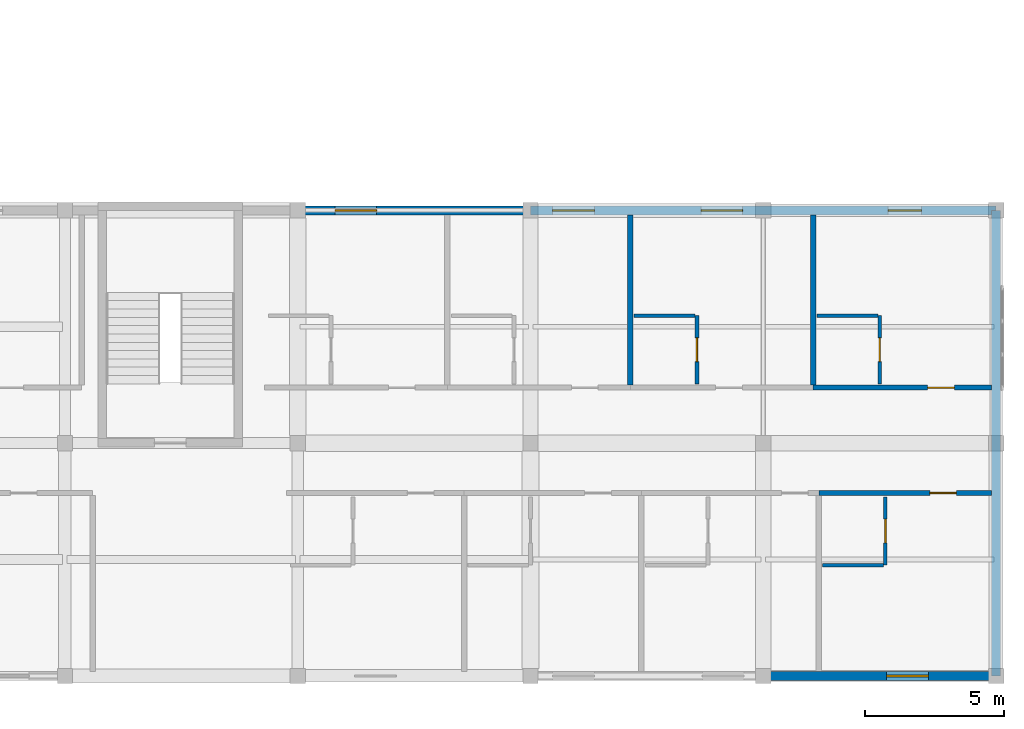
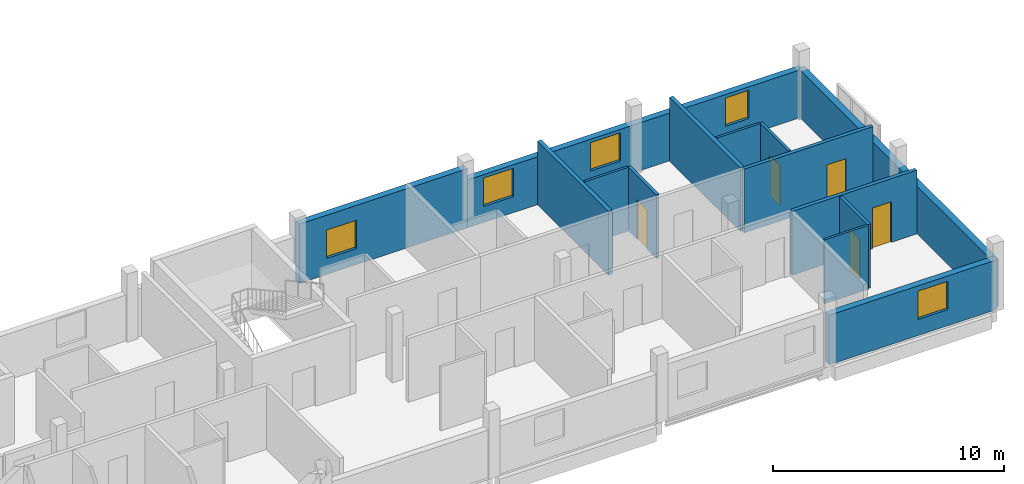
# One storey, part 17 of 20: 14 walls, 5 doors, 5 windows, 10 openings.
"""IFC4 building model written with IfcOpenShell, lengths in metres."""

from ifc_helpers import new_model, si_unit, derived_unit, direction, frame, frame_2d, origin, place, context, subcontext, project, spatial, rectangle, extrude, material, layer, layer_set, type_object, element, fill, save


model = new_model("IFC4")

# Units and contexts
model_context = context("Model", 3, precision=1e-05, world=origin(), true_north=direction((0.0, 1.0)))
body_context = subcontext(model_context, "Body", "Model", "MODEL_VIEW")
ifc_project = project(units=[si_unit("LENGTHUNIT", "METRE"), si_unit("AREAUNIT", "SQUARE_METRE"), si_unit("VOLUMEUNIT", "CUBIC_METRE"), si_unit("PLANEANGLEUNIT", "RADIAN"), si_unit("MASSUNIT", "GRAM", prefix="KILO"), derived_unit("THERMALTRANSMITTANCEUNIT", [(si_unit("POWERUNIT", "WATT"), 1), (si_unit("LENGTHUNIT", "METRE"), -2), (si_unit("THERMODYNAMICTEMPERATUREUNIT", "KELVIN"), -1)])], contexts=[model_context])

# Site, building, storey
site_placement = place(None, origin())
site = spatial("IfcSite", under=ifc_project, at=site_placement, CompositionType="ELEMENT")
building_placement = place(site_placement, origin())
building = spatial("IfcBuilding", under=site, at=building_placement, Name="Barrovel Congress Hotel", CompositionType="ELEMENT")
storey_placement = place(building_placement, frame((0.0, 0.0, 36.300048828125)))
storey = spatial("IfcBuildingStorey", under=building, at=storey_placement, Name="L09", CompositionType="ELEMENT", Elevation=36.300048828125)

# Wall
ifc_material_1 = material(Name="Fired Clay Brick Masonry", Category="masonry")
ifc_layer_1 = layer(ifc_material_1, 0.320068359375)
ifc_layer_set_1 = layer_set([ifc_layer_1], Name="Fired Clay Brick Masonry")
wall_type_1 = type_object("IfcWallType", Name="EW-BRK320", PredefinedType="STANDARD", material=ifc_layer_set_1)
wall_1_placement = place(storey_placement, frame((134.39990234375, 4.199951171875, 0.0), z_axis=(0.0, 0.0, 1.0), x_axis=(0.0, 1.0, 0.0)))
element("IfcWall", 1, at=wall_1_placement, inside=storey, type_object=wall_type_1, Name="EW:L09:HS-E", PredefinedType="STANDARD", context=body_context, shape_type="SweptSolid", body=[
    extrude(rectangle(XDim=16.800048828125, YDim=0.320068359375, at=frame_2d((8.39990234375, 0.0))), origin(), (0.0, 0.0, 1.0), 2.530029296875),
])

# Wall, openings, windows
wall_2_placement = place(storey_placement, frame((134.39990234375, 21.0, 0.0), z_axis=(0.0, 0.0, 1.0), x_axis=(-1.0, 0.0, 0.0)))
wall_2 = element("IfcWall", 2, at=wall_2_placement, inside=storey, type_object=wall_type_1, Name="EW:L09:HS-NE-1", PredefinedType="STANDARD", context=body_context, shape_type="SweptSolid", body=[
    extrude(rectangle(XDim=16.7998046875, YDim=0.320068359375, at=frame_2d((8.39990234375, 0.0))), origin(), (0.0, 0.0, 1.0), 2.530029296875),
])
opening_1_placement = place(wall_2_placement, frame((14.5, 0.0, 0.85009765625)))
opening_1 = element("IfcOpeningElement", 3, at=opening_1_placement, cuts=wall_2, Name="Opening WN-07", PredefinedType="OPENING", context=body_context, shape_type="SweptSolid", body=[
    extrude(rectangle(XDim=1.5, YDim=1.5, at=frame_2d((0.75, 0.75))), frame((0.0, 0.169921875, 0.0), z_axis=(0.0, -1.0, 0.0), x_axis=(1.0, 0.0, 0.0)), (0.0, 0.0, 1.0), 0.340087890625),
])
opening_2_placement = place(wall_2_placement, frame((9.14990234375, 0.0, 0.85009765625)))
opening_2 = element("IfcOpeningElement", 4, at=opening_2_placement, cuts=wall_2, Name="Opening WN-07", PredefinedType="OPENING", context=body_context, shape_type="SweptSolid", body=[
    extrude(rectangle(XDim=1.5, YDim=1.5, at=frame_2d((0.75, 0.75))), frame((0.0, 0.169921875, 0.0), z_axis=(0.0, -1.0, 0.0), x_axis=(1.0, 0.0, 0.0)), (0.0, 0.0, 1.0), 0.340087890625),
])
opening_3_placement = place(wall_2_placement, frame((2.699951171875, 0.0, 0.85009765625)))
opening_3 = element("IfcOpeningElement", 5, at=opening_3_placement, cuts=wall_2, Name="Opening WN-06", PredefinedType="OPENING", context=body_context, shape_type="SweptSolid", body=[
    extrude(rectangle(XDim=1.199951171875, YDim=1.5, at=frame_2d((0.60009765625, 0.75))), frame((0.0, 0.169921875, 0.0), z_axis=(0.0, -1.0, 0.0), x_axis=(1.0, 0.0, 0.0)), (0.0, 0.0, 1.0), 0.340087890625),
])
ifc_material_2 = material(Name="Double Low-E Insulated Glazing", Category="glass")
window_type_1 = type_object("IfcWindowType", Name="WIN-WN-06", PartitioningType="SINGLE_PANEL", PredefinedType="WINDOW", material=ifc_material_2)
window_1_placement = place(opening_3_placement, origin())
window_1 = element("IfcWindow", 6, at=window_1_placement, inside=storey, type_object=window_type_1, Name="WIN:L09:U24", OverallHeight=1.5, OverallWidth=1.199951171875, PartitioningType="SINGLE_PANEL", PredefinedType="WINDOW", context=body_context, shape_type="SweptSolid", body=[
    extrude(rectangle(XDim=1.199951171875, YDim=1.5, at=frame_2d((0.60009765625, 0.75))), frame((0.0, 0.030029296875, 0.0), z_axis=(0.0, -1.0, 0.0), x_axis=(1.0, 0.0, 0.0)), (0.0, 0.0, 1.0), 0.06005859375),
])
fill(opening_3, window_1)
window_type_2 = type_object("IfcWindowType", Name="WIN-WN-07", PartitioningType="SINGLE_PANEL", PredefinedType="WINDOW", material=ifc_material_2)
window_2_placement = place(opening_1_placement, origin())
window_2 = element("IfcWindow", 7, at=window_2_placement, inside=storey, type_object=window_type_2, Name="WIN:L09:U22", OverallHeight=1.5, OverallWidth=1.5, PartitioningType="SINGLE_PANEL", PredefinedType="WINDOW", context=body_context, shape_type="SweptSolid", body=[
    extrude(rectangle(XDim=1.5, YDim=1.5, at=frame_2d((0.75, 0.75))), frame((0.0, 0.030029296875, 0.0), z_axis=(0.0, -1.0, 0.0), x_axis=(1.0, 0.0, 0.0)), (0.0, 0.0, 1.0), 0.06005859375),
])
fill(opening_1, window_2)
window_3_placement = place(opening_2_placement, origin())
window_3 = element("IfcWindow", 8, at=window_3_placement, inside=storey, type_object=window_type_2, Name="WIN:L09:U23", OverallHeight=1.5, OverallWidth=1.5, PartitioningType="SINGLE_PANEL", PredefinedType="WINDOW", context=body_context, shape_type="SweptSolid", body=[
    extrude(rectangle(XDim=1.5, YDim=1.5, at=frame_2d((0.75, 0.75))), frame((0.0, 0.030029296875, 0.0), z_axis=(0.0, -1.0, 0.0), x_axis=(1.0, 0.0, 0.0)), (0.0, 0.0, 1.0), 0.06005859375),
])
fill(opening_2, window_3)

# Wall, opening, window
wall_3_placement = place(storey_placement, frame((126.0, 4.199951171875, 0.0), z_axis=(0.0, 0.0, 1.0), x_axis=(1.0, 0.0, 0.0)))
wall_3 = element("IfcWall", 9, at=wall_3_placement, inside=storey, type_object=wall_type_1, Name="EW:L09:HS-S:P11", PredefinedType="STANDARD", context=body_context, shape_type="SweptSolid", body=[
    extrude(rectangle(XDim=8.39990234375, YDim=0.320068359375, at=frame_2d((4.199951171875, 0.0))), origin(), (0.0, 0.0, 1.0), 2.6298828125),
])
opening_4_placement = place(wall_3_placement, frame((4.449951171875, 0.0, 0.85009765625)))
opening_4 = element("IfcOpeningElement", 10, at=opening_4_placement, cuts=wall_3, Name="Opening WN-07", PredefinedType="OPENING", context=body_context, shape_type="SweptSolid", body=[
    extrude(rectangle(XDim=1.5, YDim=1.5, at=frame_2d((0.75, 0.75))), frame((0.0, 0.169921875, 0.0), z_axis=(0.0, -1.0, 0.0), x_axis=(1.0, 0.0, 0.0)), (0.0, 0.0, 1.0), 0.340087890625),
])
window_4_placement = place(opening_4_placement, origin())
window_4 = element("IfcWindow", 11, at=window_4_placement, inside=storey, type_object=window_type_2, Name="WIN:L09:U18", OverallHeight=1.5, OverallWidth=1.5, PartitioningType="SINGLE_PANEL", PredefinedType="WINDOW", context=body_context, shape_type="SweptSolid", body=[
    extrude(rectangle(XDim=1.5, YDim=1.5, at=frame_2d((0.75, 0.75))), frame((0.0, 0.030029296875, 0.0), z_axis=(0.0, -1.0, 0.0), x_axis=(1.0, 0.0, 0.0)), (0.0, 0.0, 1.0), 0.06005859375),
])
fill(opening_4, window_4)

wall_4_placement = place(storey_placement, frame((117.60009765625, 21.0, 0.0), z_axis=(0.0, 0.0, 1.0), x_axis=(-1.0, 0.0, 0.0)))
wall_4 = element("IfcWall", 12, at=wall_4_placement, inside=storey, type_object=wall_type_1, Name="EW:L09:HS-NE-1:P02", PredefinedType="STANDARD", context=body_context, shape_type="SweptSolid", body=[
    extrude(rectangle(XDim=8.400146484375, YDim=0.320068359375, at=frame_2d((4.2001953125, 0.0))), origin(), (0.0, 0.0, 1.0), 3.133056640625),
])
opening_5_placement = place(wall_4_placement, frame((5.550048828125, 0.0, 0.85009765625)))
opening_5 = element("IfcOpeningElement", 13, at=opening_5_placement, cuts=wall_4, Name="Opening WN-07", PredefinedType="OPENING", context=body_context, shape_type="SweptSolid", body=[
    extrude(rectangle(XDim=1.5, YDim=1.5, at=frame_2d((0.75, 0.75))), frame((0.0, 0.169921875, 0.0), z_axis=(0.0, -1.0, 0.0), x_axis=(1.0, 0.0, 0.0)), (0.0, 0.0, 1.0), 0.340087890625),
])
window_5_placement = place(opening_5_placement, origin())
window_5 = element("IfcWindow", 14, at=window_5_placement, inside=storey, type_object=window_type_2, Name="WIN:L09:U21", OverallHeight=1.5, OverallWidth=1.5, PartitioningType="SINGLE_PANEL", PredefinedType="WINDOW", context=body_context, shape_type="SweptSolid", body=[
    extrude(rectangle(XDim=1.5, YDim=1.5, at=frame_2d((0.75, 0.75))), frame((0.0, 0.030029296875, 0.0), z_axis=(0.0, -1.0, 0.0), x_axis=(1.0, 0.0, 0.0)), (0.0, 0.0, 1.0), 0.06005859375),
])
fill(opening_5, window_5)

# Wall, opening, door
ifc_material_3 = material(Name="Gypsum Acoustic Stud", Category="gypsum")
ifc_layer_2 = layer(ifc_material_3, 0.179931640625)
ifc_layer_set_2 = layer_set([ifc_layer_2], Name="Gypsum Acoustic Stud")
wall_type_2 = type_object("IfcWallType", Name="PW-ACU-180", PredefinedType="PARTITIONING", material=ifc_layer_set_2)
wall_5_placement = place(storey_placement, frame((128.0, 10.800048828125, 0.0), z_axis=(0.0, 0.0, 1.0), x_axis=(1.0, 0.0, 0.0)))
wall_5 = element("IfcWall", 15, at=wall_5_placement, inside=storey, type_object=wall_type_2, Name="PW:L09:U18:COR", PredefinedType="PARTITIONING", context=body_context, shape_type="SweptSolid", body=[
    extrude(rectangle(XDim=6.239990234375, YDim=0.179931640625, at=frame_2d((3.1201171875, 0.0))), origin(), (0.0, 0.0, 1.0), 3.375),
])
opening_6_placement = place(wall_5_placement, frame((4.0048828125, 0.0, 0.0)))
opening_6 = element("IfcOpeningElement", 16, at=opening_6_placement, cuts=wall_5, Name="Opening ID-HTL", PredefinedType="OPENING", context=body_context, shape_type="SweptSolid", body=[
    extrude(rectangle(XDim=0.9599609375, YDim=2.14990234375, at=frame_2d((0.47998046875, 1.074951171875))), frame((0.0, 0.10009765625, 0.0), z_axis=(0.0, -1.0, 0.0), x_axis=(1.0, 0.0, 0.0)), (0.0, 0.0, 1.0), 0.199951171875),
])
ifc_material_4 = material(Name="Solid Oak Acoustic Timber Door", Category="wood")
door_type_1 = type_object("IfcDoorType", Name="IDR-ID-HTL", OperationType="NOTDEFINED", PredefinedType="DOOR", material=ifc_material_4)
door_1_placement = place(opening_6_placement, origin())
door_1 = element("IfcDoor", 17, at=door_1_placement, inside=storey, type_object=door_type_1, Name="DR:L09:U18:ENT", OperationType="SINGLE_SWING_RIGHT", OverallHeight=2.14990234375, OverallWidth=0.9599609375, PredefinedType="DOOR", context=body_context, shape_type="SweptSolid", body=[
    extrude(rectangle(XDim=0.9599609375, YDim=2.14990234375, at=frame_2d((0.47998046875, 1.074951171875))), frame((0.0, 0.02490234375, 0.0), z_axis=(0.0, -1.0, 0.0), x_axis=(1.0, 0.0, 0.0)), (0.0, 0.0, 1.0), 0.050048828125),
])
fill(opening_6, door_1)

wall_6_placement = place(storey_placement, frame((127.800048828125, 14.60009765625, 0.0), z_axis=(0.0, 0.0, 1.0), x_axis=(1.0, 0.0, 0.0)))
wall_6 = element("IfcWall", 18, at=wall_6_placement, inside=storey, type_object=wall_type_2, Name="PW:L09:U24:COR", PredefinedType="PARTITIONING", context=body_context, shape_type="SweptSolid", body=[
    extrude(rectangle(XDim=6.43994140625, YDim=0.179931640625, at=frame_2d((3.219970703125, 0.0))), origin(), (0.0, 0.0, 1.0), 3.375),
])
opening_7_placement = place(wall_6_placement, frame((4.12890625, 0.0, 0.0)))
opening_7 = element("IfcOpeningElement", 19, at=opening_7_placement, cuts=wall_6, Name="Opening ID-HTL", PredefinedType="OPENING", context=body_context, shape_type="SweptSolid", body=[
    extrude(rectangle(XDim=0.9599609375, YDim=2.14990234375, at=frame_2d((0.47998046875, 1.074951171875))), frame((0.0, 0.10009765625, 0.0), z_axis=(0.0, -1.0, 0.0), x_axis=(1.0, 0.0, 0.0)), (0.0, 0.0, 1.0), 0.199951171875),
])
door_2_placement = place(opening_7_placement, origin())
door_2 = element("IfcDoor", 20, at=door_2_placement, inside=storey, type_object=door_type_1, Name="DR:L09:U24:ENT", OperationType="SINGLE_SWING_RIGHT", OverallHeight=2.14990234375, OverallWidth=0.9599609375, PredefinedType="DOOR", context=body_context, shape_type="SweptSolid", body=[
    extrude(rectangle(XDim=0.9599609375, YDim=2.14990234375, at=frame_2d((0.47998046875, 1.074951171875))), frame((0.0, 0.02490234375, 0.0), z_axis=(0.0, -1.0, 0.0), x_axis=(1.0, 0.0, 0.0)), (0.0, 0.0, 1.0), 0.050048828125),
])
fill(opening_7, door_2)

# Walls
ifc_layer_3 = layer(ifc_material_3, 0.1201171875)
ifc_layer_set_3 = layer_set([ifc_layer_3], Name="Gypsum Acoustic Stud")
wall_type_3 = type_object("IfcWallType", Name="PW-INT-120", PredefinedType="PARTITIONING", material=ifc_layer_set_3)
wall_7_placement = place(storey_placement, frame((128.139892578125, 8.199951171875, 0.0), z_axis=(0.0, 0.0, 1.0), x_axis=(1.0, 0.0, 0.0)))
element("IfcWall", 21, at=wall_7_placement, inside=storey, type_object=wall_type_3, Name="PW:L09:U18:B2", PredefinedType="PARTITIONING", context=body_context, shape_type="SweptSolid", body=[
    extrude(rectangle(XDim=2.190185546875, YDim=0.1201171875, at=frame_2d((1.09521484375, 0.0))), origin(), (0.0, 0.0, 1.0), 3.375),
])
for number, where, z_axis, x_axis, name in (
    (22, (121.340087890625, 17.199951171875, 0.0), (0.0, 0.0, 1.0), (1.0, 0.0, 0.0), "PW:L09:U23:B2"),
    (23, (127.93994140625, 17.199951171875, 0.0), (0.0, 0.0, 1.0), (1.0, 0.0, 0.0), "PW:L09:U24:B2"),
):
    element("IfcWall", number, at=place(storey_placement, frame(where, z_axis=z_axis, x_axis=x_axis)), inside=storey, type_object=wall_type_3, Name=name, PredefinedType="PARTITIONING", context=body_context, shape_type="SweptSolid", body=[
        extrude(rectangle(XDim=2.18994140625, YDim=0.1201171875, at=frame_2d((1.094970703125, 0.0))), origin(), (0.0, 0.0, 1.0), 3.375),
    ])
ifc_layer_4 = layer(ifc_material_1, 0.199951171875)
ifc_layer_set_4 = layer_set([ifc_layer_4], Name="Fired Clay Brick Masonry")
wall_type_4 = type_object("IfcWallType", Name="PW-MAS-200", PredefinedType="PARTITIONING", material=ifc_layer_set_4)
for number, where, z_axis, x_axis, name in (
    (24, (121.199951171875, 14.68994140625, 0.0), (0.0, 0.0, 1.0), (0.0, 1.0, 0.0), "PW:L09:U22:DEM"),
    (25, (127.800048828125, 14.68994140625, 0.0), (0.0, 0.0, 1.0), (0.0, 1.0, 0.0), "PW:L09:U23:DEM"),
):
    element("IfcWall", number, at=place(storey_placement, frame(where, z_axis=z_axis, x_axis=x_axis)), inside=storey, type_object=wall_type_4, Name=name, PredefinedType="PARTITIONING", context=body_context, shape_type="SweptSolid", body=[
        extrude(rectangle(XDim=6.150146484375, YDim=0.199951171875, at=frame_2d((3.0751953125, 0.0))), origin(), (0.0, 0.0, 1.0), 3.375),
    ])

# Wall, opening, door
ifc_material_5 = material(Name="Gypsum Moisture Board", Category="gypsum")
ifc_layer_5 = layer(ifc_material_5, 0.139892578125)
ifc_layer_set_5 = layer_set([ifc_layer_5], Name="Gypsum Moisture Board")
wall_type_5 = type_object("IfcWallType", Name="PW-WET-140", PredefinedType="PARTITIONING", material=ifc_layer_set_5)
wall_8_placement = place(storey_placement, frame((130.39990234375, 8.199951171875, 0.0), z_axis=(0.0, 0.0, 1.0), x_axis=(0.0, 1.0, 0.0)))
wall_8 = element("IfcWall", 26, at=wall_8_placement, inside=storey, type_object=wall_type_5, Name="PW:L09:U18:B1", PredefinedType="PARTITIONING", context=body_context, shape_type="SweptSolid", body=[
    extrude(rectangle(XDim=2.4599609375, YDim=0.139892578125, at=frame_2d((1.22998046875, 0.0))), origin(), (0.0, 0.0, 1.0), 3.375),
])
opening_8_placement = place(wall_8_placement, frame((0.800048828125, 0.0, 0.0)))
opening_8 = element("IfcOpeningElement", 27, at=opening_8_placement, cuts=wall_8, Name="Opening ID-ENS", PredefinedType="OPENING", context=body_context, shape_type="SweptSolid", body=[
    extrude(rectangle(XDim=0.860107421875, YDim=2.10009765625, at=frame_2d((0.43017578125, 1.050048828125))), frame((0.0, 0.080078125, 0.0), z_axis=(0.0, -1.0, 0.0), x_axis=(1.0, 0.0, 0.0)), (0.0, 0.0, 1.0), 0.159912109375),
])
ifc_material_6 = material(Name="Lacquered Timber Moisture Door", Category="wood")
door_type_2 = type_object("IfcDoorType", Name="IDR-ID-ENS", OperationType="NOTDEFINED", PredefinedType="DOOR", material=ifc_material_6)
door_3_placement = place(opening_8_placement, origin())
door_3 = element("IfcDoor", 28, at=door_3_placement, inside=storey, type_object=door_type_2, Name="DR:L09:U18:ENS", OperationType="SINGLE_SWING_LEFT", OverallHeight=2.10009765625, OverallWidth=0.860107421875, PredefinedType="DOOR", context=body_context, shape_type="SweptSolid", body=[
    extrude(rectangle(XDim=0.860107421875, YDim=2.10009765625, at=frame_2d((0.43017578125, 1.050048828125))), frame((0.0, 0.02490234375, 0.0), z_axis=(0.0, -1.0, 0.0), x_axis=(1.0, 0.0, 0.0)), (0.0, 0.0, 1.0), 0.050048828125),
])
fill(opening_8, door_3)

wall_9_placement = place(storey_placement, frame((123.60009765625, 14.739990234375, 0.0), z_axis=(0.0, 0.0, 1.0), x_axis=(0.0, 1.0, 0.0)))
wall_9 = element("IfcWall", 29, at=wall_9_placement, inside=storey, type_object=wall_type_5, Name="PW:L09:U23:B1", PredefinedType="PARTITIONING", context=body_context, shape_type="SweptSolid", body=[
    extrude(rectangle(XDim=2.4599609375, YDim=0.139892578125, at=frame_2d((1.22998046875, 0.0))), origin(), (0.0, 0.0, 1.0), 3.375),
])
opening_9_placement = place(wall_9_placement, frame((0.800048828125, 0.0, 0.0)))
opening_9 = element("IfcOpeningElement", 30, at=opening_9_placement, cuts=wall_9, Name="Opening ID-ENS", PredefinedType="OPENING", context=body_context, shape_type="SweptSolid", body=[
    extrude(rectangle(XDim=0.860107421875, YDim=2.10009765625, at=frame_2d((0.43017578125, 1.050048828125))), frame((0.0, 0.080078125, 0.0), z_axis=(0.0, -1.0, 0.0), x_axis=(1.0, 0.0, 0.0)), (0.0, 0.0, 1.0), 0.159912109375),
])
door_4_placement = place(opening_9_placement, origin())
door_4 = element("IfcDoor", 31, at=door_4_placement, inside=storey, type_object=door_type_2, Name="DR:L09:U23:ENS", OperationType="SINGLE_SWING_LEFT", OverallHeight=2.10009765625, OverallWidth=0.860107421875, PredefinedType="DOOR", context=body_context, shape_type="SweptSolid", body=[
    extrude(rectangle(XDim=0.860107421875, YDim=2.10009765625, at=frame_2d((0.43017578125, 1.050048828125))), frame((0.0, 0.02490234375, 0.0), z_axis=(0.0, -1.0, 0.0), x_axis=(1.0, 0.0, 0.0)), (0.0, 0.0, 1.0), 0.050048828125),
])
fill(opening_9, door_4)

wall_10_placement = place(storey_placement, frame((130.199951171875, 14.739990234375, 0.0), z_axis=(0.0, 0.0, 1.0), x_axis=(0.0, 1.0, 0.0)))
wall_10 = element("IfcWall", 32, at=wall_10_placement, inside=storey, type_object=wall_type_5, Name="PW:L09:U24:B1", PredefinedType="PARTITIONING", context=body_context, shape_type="SweptSolid", body=[
    extrude(rectangle(XDim=2.4599609375, YDim=0.139892578125, at=frame_2d((1.22998046875, 0.0))), origin(), (0.0, 0.0, 1.0), 3.375),
])
opening_10_placement = place(wall_10_placement, frame((0.800048828125, 0.0, 0.0)))
opening_10 = element("IfcOpeningElement", 33, at=opening_10_placement, cuts=wall_10, Name="Opening ID-ENS", PredefinedType="OPENING", context=body_context, shape_type="SweptSolid", body=[
    extrude(rectangle(XDim=0.860107421875, YDim=2.10009765625, at=frame_2d((0.43017578125, 1.050048828125))), frame((0.0, 0.080078125, 0.0), z_axis=(0.0, -1.0, 0.0), x_axis=(1.0, 0.0, 0.0)), (0.0, 0.0, 1.0), 0.159912109375),
])
door_5_placement = place(opening_10_placement, origin())
door_5 = element("IfcDoor", 34, at=door_5_placement, inside=storey, type_object=door_type_2, Name="DR:L09:U24:ENS", OperationType="SINGLE_SWING_LEFT", OverallHeight=2.10009765625, OverallWidth=0.860107421875, PredefinedType="DOOR", context=body_context, shape_type="SweptSolid", body=[
    extrude(rectangle(XDim=0.860107421875, YDim=2.10009765625, at=frame_2d((0.43017578125, 1.050048828125))), frame((0.0, 0.02490234375, 0.0), z_axis=(0.0, -1.0, 0.0), x_axis=(1.0, 0.0, 0.0)), (0.0, 0.0, 1.0), 0.050048828125),
])
fill(opening_10, door_5)

save(model, "model.ifc")
